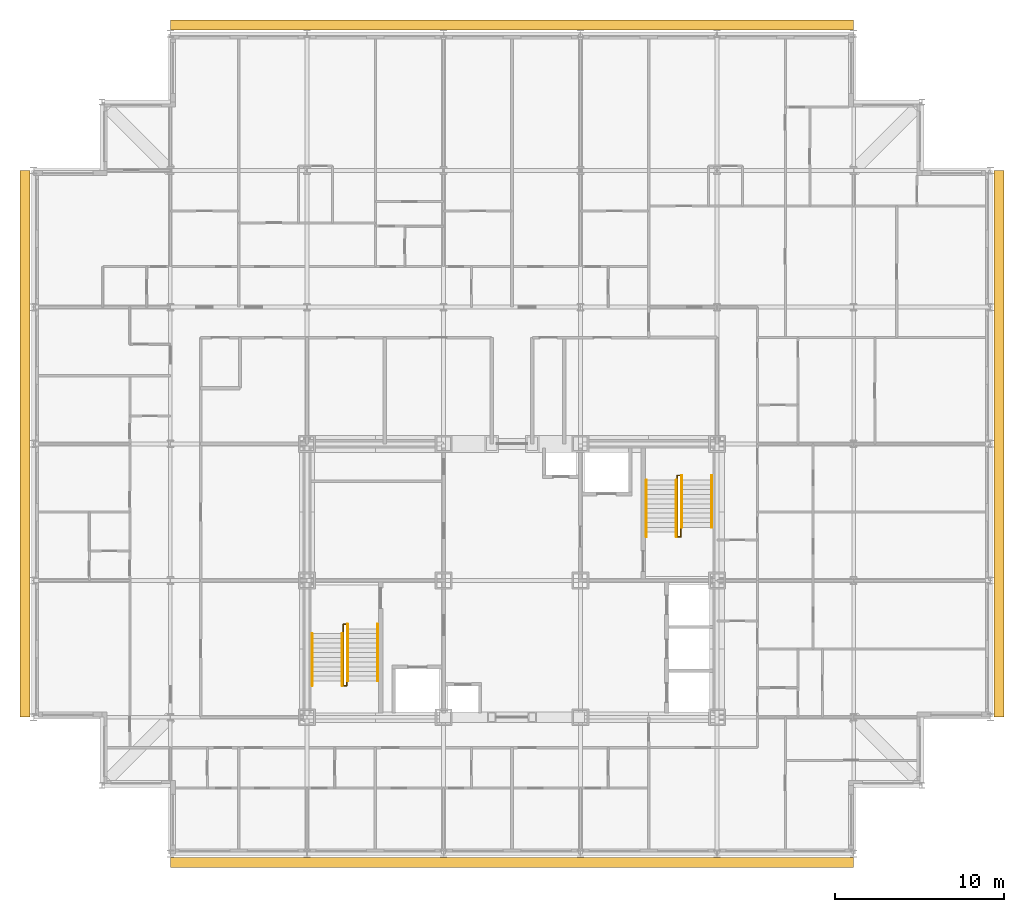
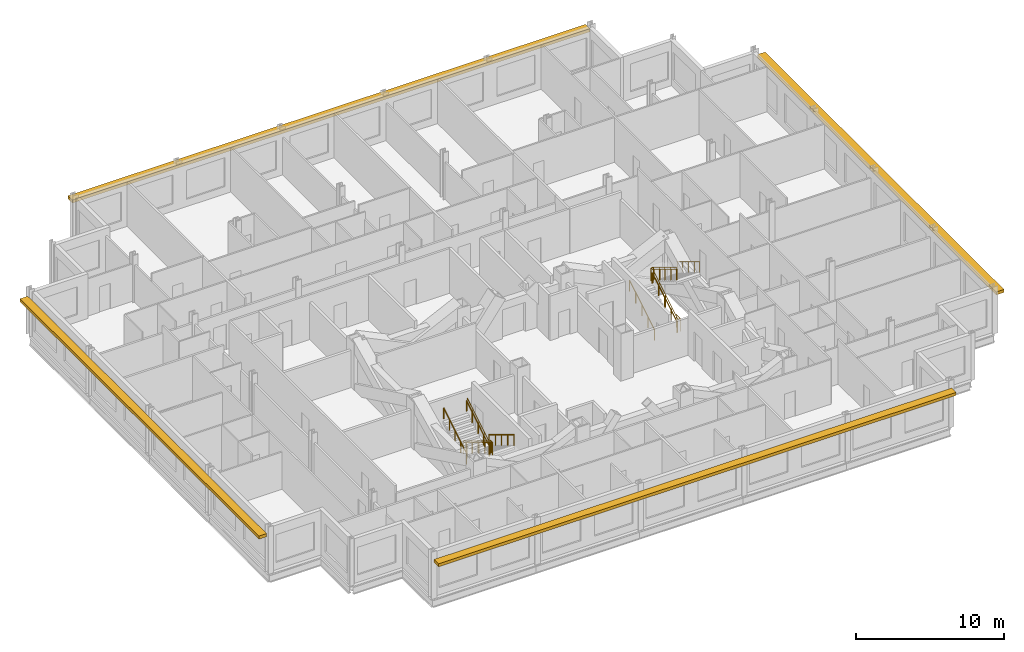
# One storey, part 16 of 16: 10 railings, 4 shading devices.
"""IFC4 building model written with IfcOpenShell, lengths in metres."""

from ifc_helpers import new_model, si_unit, direction, frame, origin, origin_2d, place, context, subcontext, project, spatial, rectangle, circle, extrude, material, type_object, element, save


model = new_model("IFC4")

# Units and contexts
model_context = context("Model", 3, precision=1e-05, world=origin(), true_north=direction((0.0, 1.0)))
body_context = subcontext(model_context, "Body", "Model", "MODEL_VIEW")
ifc_project = project(units=[si_unit("LENGTHUNIT", "METRE"), si_unit("AREAUNIT", "SQUARE_METRE"), si_unit("VOLUMEUNIT", "CUBIC_METRE"), si_unit("PLANEANGLEUNIT", "RADIAN"), si_unit("MASSUNIT", "GRAM", prefix="KILO")], contexts=[model_context])

# Site, building, storey
site_placement = place(None, origin())
site = spatial("IfcSite", under=ifc_project, at=site_placement, CompositionType="ELEMENT")
building_placement = place(site_placement, origin())
building = spatial("IfcBuilding", under=site, at=building_placement, Name="Kopane Lantern Tower", CompositionType="ELEMENT")
storey_placement = place(building_placement, frame((0.0, 0.0, 258.0)))
storey = spatial("IfcBuildingStorey", under=building, at=storey_placement, Name="L66", CompositionType="ELEMENT", Elevation=258.0)

# Railings
ifc_material_1 = material(Name="Steel", Category="steel")
railing_type_1 = type_object("IfcRailingType", Name="STAIR GUARD 1100", PredefinedType="GUARDRAIL", material=ifc_material_1)
railing_1_placement = place(storey_placement, frame((18.35009765625, 29.25, 0.0)))
element("IfcRailing", 1, at=railing_1_placement, inside=storey, type_object=railing_type_1, Name="ST1 well guard L66", PredefinedType="GUARDRAIL", context=body_context, shape_type="SweptSolid", body=[
    extrude(circle(Radius=0.02392578125, at=origin_2d()), frame((0.0, 0.0, 1.076171875), z_axis=(0.0, 1.0, 0.0), x_axis=(-1.0, 0.0, 0.0)), (0.0, 0.0, 1.0), 0.56005859375),
    extrude(circle(Radius=0.02392578125, at=origin_2d()), frame((0.0, 0.56005859375, 1.076171875), z_axis=(1.0, 0.0, 0.0), x_axis=(0.0, 1.0, 0.0)), (0.0, 0.0, 1.0), 0.199951171875),
    extrude(circle(Radius=0.02392578125, at=origin_2d()), frame((0.199951171875, 0.56005859375, 1.076171875), z_axis=(0.0, -0.855368916264, 0.518019321155), x_axis=(1.0, 0.0, 0.0)), (0.0, 0.0, 1.0), 3.92822265625),
    extrude(circle(Radius=0.02392578125, at=origin_2d()), frame((0.199951171875, -2.800048828125, 3.11083984375), z_axis=(0.0, -1.0, 0.0), x_axis=(1.0, 0.0, 0.0)), (0.0, 0.0, 1.0), 0.280029296875),
    extrude(circle(Radius=0.02392578125, at=origin_2d()), frame((0.199951171875, -3.080078125, 3.11083984375), z_axis=(-1.0, 0.0, 0.0), x_axis=(0.0, -1.0, 0.0)), (0.0, 0.0, 1.0), 0.199951171875),
    extrude(circle(Radius=0.02392578125, at=origin_2d()), frame((0.0, -3.080078125, 3.11083984375), z_axis=(0.0, 0.855409959129, 0.517951543895), x_axis=(-1.0, 0.0, 0.0)), (0.0, 0.0, 1.0), 3.6005859375),
    extrude(circle(Radius=0.02099609375, at=origin_2d()), origin(), (0.0, 0.0, 1.0), 1.052001953125),
    extrude(circle(Radius=0.02099609375, at=origin_2d()), frame((0.0, 0.56005859375, 0.0)), (0.0, 0.0, 1.0), 1.052001953125),
    extrude(circle(Radius=0.02099609375, at=origin_2d()), frame((0.199951171875, 0.56005859375, 0.0)), (0.0, 0.0, 1.0), 1.052001953125),
    extrude(circle(Radius=0.02099609375, at=origin_2d()), frame((0.199951171875, -0.280029296875, 0.5087890625)), (0.0, 0.0, 1.0), 1.052001953125),
    extrude(circle(Radius=0.02099609375, at=origin_2d()), frame((0.199951171875, -1.1201171875, 1.017578125)), (0.0, 0.0, 1.0), 1.052001953125),
    extrude(circle(Radius=0.02099609375, at=origin_2d()), frame((0.199951171875, -1.9599609375, 1.526123046875)), (0.0, 0.0, 1.0), 1.052001953125),
    extrude(circle(Radius=0.02099609375, at=origin_2d()), frame((0.199951171875, -2.800048828125, 2.034912109375)), (0.0, 0.0, 1.0), 1.052001953125),
    extrude(circle(Radius=0.02099609375, at=origin_2d()), frame((0.199951171875, -3.080078125, 2.034912109375)), (0.0, 0.0, 1.0), 1.052001953125),
    extrude(circle(Radius=0.02099609375, at=origin_2d()), frame((0.0, -3.080078125, 2.034912109375)), (0.0, 0.0, 1.0), 1.052001953125),
    extrude(circle(Radius=0.02099609375, at=origin_2d()), frame((0.0, -2.31005859375, 2.501220703125)), (0.0, 0.0, 1.0), 1.052001953125),
    extrude(circle(Radius=0.02099609375, at=origin_2d()), frame((0.0, -1.5400390625, 2.96728515625)), (0.0, 0.0, 1.0), 1.052001953125),
    extrude(circle(Radius=0.02099609375, at=origin_2d()), frame((0.0, -0.77001953125, 3.43359375)), (0.0, 0.0, 1.0), 1.052001953125),
    extrude(circle(Radius=0.02099609375, at=origin_2d()), frame((0.0, 0.0, 3.89990234375)), (0.0, 0.0, 1.0), 1.052001953125),
])
railing_2_placement = place(storey_placement, frame((38.35009765625, 35.550048828125, 0.0)))
element("IfcRailing", 2, at=railing_2_placement, inside=storey, type_object=railing_type_1, Name="ST2 well guard L66", PredefinedType="GUARDRAIL", context=body_context, shape_type="SweptSolid", body=[
    extrude(circle(Radius=0.02392578125, at=origin_2d()), frame((0.0, 0.0, 1.076171875), z_axis=(0.0, -1.0, 0.0), x_axis=(1.0, 0.0, 0.0)), (0.0, 0.0, 1.0), 0.56005859375),
    extrude(circle(Radius=0.02392578125, at=origin_2d()), frame((0.0, -0.56005859375, 1.076171875), z_axis=(-1.0, 0.0, 0.0), x_axis=(0.0, -1.0, 0.0)), (0.0, 0.0, 1.0), 0.2001953125),
    extrude(circle(Radius=0.02392578125, at=origin_2d()), frame((-0.2001953125, -0.56005859375, 1.076171875), z_axis=(0.0, 0.855368916264, 0.518019321155), x_axis=(-1.0, 0.0, 0.0)), (0.0, 0.0, 1.0), 3.92822265625),
    extrude(circle(Radius=0.02392578125, at=origin_2d()), frame((-0.2001953125, 2.800048828125, 3.11083984375), z_axis=(0.0, 1.0, 0.0), x_axis=(-1.0, 0.0, 0.0)), (0.0, 0.0, 1.0), 0.27978515625),
    extrude(circle(Radius=0.02392578125, at=origin_2d()), frame((-0.2001953125, 3.079833984375, 3.11083984375), z_axis=(1.0, 0.0, 0.0), x_axis=(0.0, 1.0, 0.0)), (0.0, 0.0, 1.0), 0.2001953125),
    extrude(circle(Radius=0.02392578125, at=origin_2d()), frame((0.0, 3.079833984375, 3.11083984375), z_axis=(0.0, -0.855391767622, 0.517981586434), x_axis=(1.0, 0.0, 0.0)), (0.0, 0.0, 1.0), 3.6005859375),
    extrude(circle(Radius=0.02099609375, at=origin_2d()), origin(), (0.0, 0.0, 1.0), 1.052001953125),
    extrude(circle(Radius=0.02099609375, at=origin_2d()), frame((0.0, -0.56005859375, 0.0)), (0.0, 0.0, 1.0), 1.052001953125),
    extrude(circle(Radius=0.02099609375, at=origin_2d()), frame((-0.2001953125, -0.56005859375, 0.0)), (0.0, 0.0, 1.0), 1.052001953125),
    extrude(circle(Radius=0.02099609375, at=origin_2d()), frame((-0.2001953125, 0.280029296875, 0.5087890625)), (0.0, 0.0, 1.0), 1.052001953125),
    extrude(circle(Radius=0.02099609375, at=origin_2d()), frame((-0.2001953125, 1.1201171875, 1.017578125)), (0.0, 0.0, 1.0), 1.052001953125),
    extrude(circle(Radius=0.02099609375, at=origin_2d()), frame((-0.2001953125, 1.9599609375, 1.526123046875)), (0.0, 0.0, 1.0), 1.052001953125),
    extrude(circle(Radius=0.02099609375, at=origin_2d()), frame((-0.2001953125, 2.800048828125, 2.034912109375)), (0.0, 0.0, 1.0), 1.052001953125),
    extrude(circle(Radius=0.02099609375, at=origin_2d()), frame((-0.2001953125, 3.079833984375, 2.034912109375)), (0.0, 0.0, 1.0), 1.052001953125),
    extrude(circle(Radius=0.02099609375, at=origin_2d()), frame((0.0, 3.079833984375, 2.034912109375)), (0.0, 0.0, 1.0), 1.052001953125),
    extrude(circle(Radius=0.02099609375, at=origin_2d()), frame((0.0, 2.309814453125, 2.501220703125)), (0.0, 0.0, 1.0), 1.052001953125),
    extrude(circle(Radius=0.02099609375, at=origin_2d()), frame((0.0, 1.5400390625, 2.96728515625)), (0.0, 0.0, 1.0), 1.052001953125),
    extrude(circle(Radius=0.02099609375, at=origin_2d()), frame((0.0, 0.77001953125, 3.43359375)), (0.0, 0.0, 1.0), 1.052001953125),
    extrude(circle(Radius=0.02099609375, at=origin_2d()), frame((0.0, 0.0, 3.89990234375)), (0.0, 0.0, 1.0), 1.052001953125),
])
ifc_material_2 = material(Name="Steel", Category="steel")
railing_type_2 = type_object("IfcRailingType", Name="STAIR HANDRAIL 900", PredefinedType="HANDRAIL", material=ifc_material_2)
for number, where, name in (
    (3, (20.389892578125, 29.81005859375, 0.0), "ST1 handrail L66 flight 1"),
    (4, (18.610107421875, 29.81005859375, 0.0), "ST1 handrail L66 flight 1"),
):
    element("IfcRailing", number, at=place(storey_placement, frame(where)), inside=storey, type_object=railing_type_2, Name=name, PredefinedType="HANDRAIL", context=body_context, shape_type="SweptSolid", body=[
        extrude(circle(Radius=0.02392578125, at=origin_2d()), frame((0.0, 0.0, 0.8759765625), z_axis=(0.0, -0.855368916264, 0.518019321155), x_axis=(1.0, 0.0, 0.0)), (0.0, 0.0, 1.0), 3.92822265625),
        extrude(circle(Radius=0.02099609375, at=origin_2d()), origin(), (0.0, 0.0, 1.0), 0.851806640625),
        extrude(circle(Radius=0.02099609375, at=origin_2d()), frame((0.0, -0.840087890625, 0.5087890625)), (0.0, 0.0, 1.0), 0.851806640625),
        extrude(circle(Radius=0.02099609375, at=origin_2d()), frame((0.0, -1.68017578125, 1.017578125)), (0.0, 0.0, 1.0), 0.851806640625),
        extrude(circle(Radius=0.02099609375, at=origin_2d()), frame((0.0, -2.52001953125, 1.526123046875)), (0.0, 0.0, 1.0), 0.851806640625),
        extrude(circle(Radius=0.02099609375, at=origin_2d()), frame((0.0, -3.360107421875, 2.034912109375)), (0.0, 0.0, 1.0), 0.851806640625),
    ])
for number, where, name in (
    (5, (16.510009765625, 26.169921875, 2.034912109375), "ST1 handrail L66 flight 2"),
    (6, (18.2900390625, 26.169921875, 2.034912109375), "ST1 handrail L66 flight 2"),
):
    element("IfcRailing", number, at=place(storey_placement, frame(where)), inside=storey, type_object=railing_type_2, Name=name, PredefinedType="HANDRAIL", context=body_context, shape_type="SweptSolid", body=[
        extrude(circle(Radius=0.02392578125, at=origin_2d()), frame((0.0, 0.0, 0.8759765625), z_axis=(0.0, 0.855409959129, 0.517951543895), x_axis=(-1.0, 0.0, 0.0)), (0.0, 0.0, 1.0), 3.6005859375),
        extrude(circle(Radius=0.02099609375, at=origin_2d()), origin(), (0.0, 0.0, 1.0), 0.851806640625),
        extrude(circle(Radius=0.02099609375, at=origin_2d()), frame((0.0, 0.77001953125, 0.46630859375)), (0.0, 0.0, 1.0), 0.851806640625),
        extrude(circle(Radius=0.02099609375, at=origin_2d()), frame((0.0, 1.5400390625, 0.9326171875)), (0.0, 0.0, 1.0), 0.851806640625),
        extrude(circle(Radius=0.02099609375, at=origin_2d()), frame((0.0, 2.31005859375, 1.398681640625)), (0.0, 0.0, 1.0), 0.851806640625),
        extrude(circle(Radius=0.02099609375, at=origin_2d()), frame((0.0, 3.080078125, 1.864990234375)), (0.0, 0.0, 1.0), 0.851806640625),
    ])
for number, where, name in (
    (7, (36.31005859375, 34.989990234375, 0.0), "ST2 handrail L66 flight 1"),
    (8, (38.090087890625, 34.989990234375, 0.0), "ST2 handrail L66 flight 1"),
):
    element("IfcRailing", number, at=place(storey_placement, frame(where)), inside=storey, type_object=railing_type_2, Name=name, PredefinedType="HANDRAIL", context=body_context, shape_type="SweptSolid", body=[
        extrude(circle(Radius=0.02392578125, at=origin_2d()), frame((0.0, 0.0, 0.8759765625), z_axis=(0.0, 0.855368916264, 0.518019321155), x_axis=(-1.0, 0.0, 0.0)), (0.0, 0.0, 1.0), 3.92822265625),
        extrude(circle(Radius=0.02099609375, at=origin_2d()), origin(), (0.0, 0.0, 1.0), 0.851806640625),
        extrude(circle(Radius=0.02099609375, at=origin_2d()), frame((0.0, 0.840087890625, 0.5087890625)), (0.0, 0.0, 1.0), 0.851806640625),
        extrude(circle(Radius=0.02099609375, at=origin_2d()), frame((0.0, 1.68017578125, 1.017578125)), (0.0, 0.0, 1.0), 0.851806640625),
        extrude(circle(Radius=0.02099609375, at=origin_2d()), frame((0.0, 2.52001953125, 1.526123046875)), (0.0, 0.0, 1.0), 0.851806640625),
        extrude(circle(Radius=0.02099609375, at=origin_2d()), frame((0.0, 3.360107421875, 2.034912109375)), (0.0, 0.0, 1.0), 0.851806640625),
    ])
for number, where, name in (
    (9, (40.18994140625, 38.6298828125, 2.034912109375), "ST2 handrail L66 flight 2"),
    (10, (38.409912109375, 38.6298828125, 2.034912109375), "ST2 handrail L66 flight 2"),
):
    element("IfcRailing", number, at=place(storey_placement, frame(where)), inside=storey, type_object=railing_type_2, Name=name, PredefinedType="HANDRAIL", context=body_context, shape_type="SweptSolid", body=[
        extrude(circle(Radius=0.02392578125, at=origin_2d()), frame((0.0, 0.0, 0.8759765625), z_axis=(0.0, -0.855391767622, 0.517981586434), x_axis=(1.0, 0.0, 0.0)), (0.0, 0.0, 1.0), 3.6005859375),
        extrude(circle(Radius=0.02099609375, at=origin_2d()), origin(), (0.0, 0.0, 1.0), 0.851806640625),
        extrude(circle(Radius=0.02099609375, at=origin_2d()), frame((0.0, -0.77001953125, 0.46630859375)), (0.0, 0.0, 1.0), 0.851806640625),
        extrude(circle(Radius=0.02099609375, at=origin_2d()), frame((0.0, -1.5400390625, 0.9326171875)), (0.0, 0.0, 1.0), 0.851806640625),
        extrude(circle(Radius=0.02099609375, at=origin_2d()), frame((0.0, -2.309814453125, 1.398681640625)), (0.0, 0.0, 1.0), 0.851806640625),
        extrude(circle(Radius=0.02099609375, at=origin_2d()), frame((0.0, -3.079833984375, 1.864990234375)), (0.0, 0.0, 1.0), 0.851806640625),
    ])

# Shading devices
ifc_material_3 = material(Name="Terracotta rainscreen on light steel framing", Category="masonry")
shading_device_type = type_object("IfcShadingDeviceType", Name="SUNSHADE BAND SB1 600 TERRACOTTA", PredefinedType="USERDEFINED", material=ifc_material_3)
shading_device_1_placement = place(storey_placement, frame((28.35009765625, 15.681640625, 3.0), z_axis=(0.0, 0.0, 1.0), x_axis=(1.0, 0.0, 0.0)))
element("IfcShadingDevice", 11, at=shading_device_1_placement, inside=storey, type_object=shading_device_type, Name="Sunshade band S L66", ObjectType="SUNSHADE BAND", PredefinedType="USERDEFINED", context=body_context, shape_type="SweptSolid", body=[
    extrude(rectangle(XDim=40.5, YDim=0.60009765625, at=origin_2d()), origin(), (0.0, 0.0, 1.0), 0.25),
])
shading_device_2_placement = place(storey_placement, frame((57.2060546875, 40.5, 3.0), z_axis=(0.0, 0.0, 1.0), x_axis=(0.0, 1.0, 0.0)))
element("IfcShadingDevice", 12, at=shading_device_2_placement, inside=storey, type_object=shading_device_type, Name="Sunshade band E L66", ObjectType="SUNSHADE BAND", PredefinedType="USERDEFINED", context=body_context, shape_type="SweptSolid", body=[
    extrude(rectangle(XDim=32.39990234375, YDim=0.60009765625, at=origin_2d()), origin(), (0.0, 0.0, 1.0), 0.25),
])
shading_device_3_placement = place(storey_placement, frame((28.35009765625, 65.318359375, 3.0), z_axis=(0.0, 0.0, 1.0), x_axis=(-1.0, 0.0, 0.0)))
element("IfcShadingDevice", 13, at=shading_device_3_placement, inside=storey, type_object=shading_device_type, Name="Sunshade band N L66", ObjectType="SUNSHADE BAND", PredefinedType="USERDEFINED", context=body_context, shape_type="SweptSolid", body=[
    extrude(rectangle(XDim=40.5, YDim=0.60009765625, at=origin_2d()), origin(), (0.0, 0.0, 1.0), 0.25),
])
shading_device_4_placement = place(storey_placement, frame((-0.506103515625, 40.5, 3.0), z_axis=(0.0, 0.0, 1.0), x_axis=(0.0, -1.0, 0.0)))
element("IfcShadingDevice", 14, at=shading_device_4_placement, inside=storey, type_object=shading_device_type, Name="Sunshade band W L66", ObjectType="SUNSHADE BAND", PredefinedType="USERDEFINED", context=body_context, shape_type="SweptSolid", body=[
    extrude(rectangle(XDim=32.39990234375, YDim=0.60009765625, at=origin_2d()), origin(), (0.0, 0.0, 1.0), 0.25),
])

save(model, "model.ifc")
